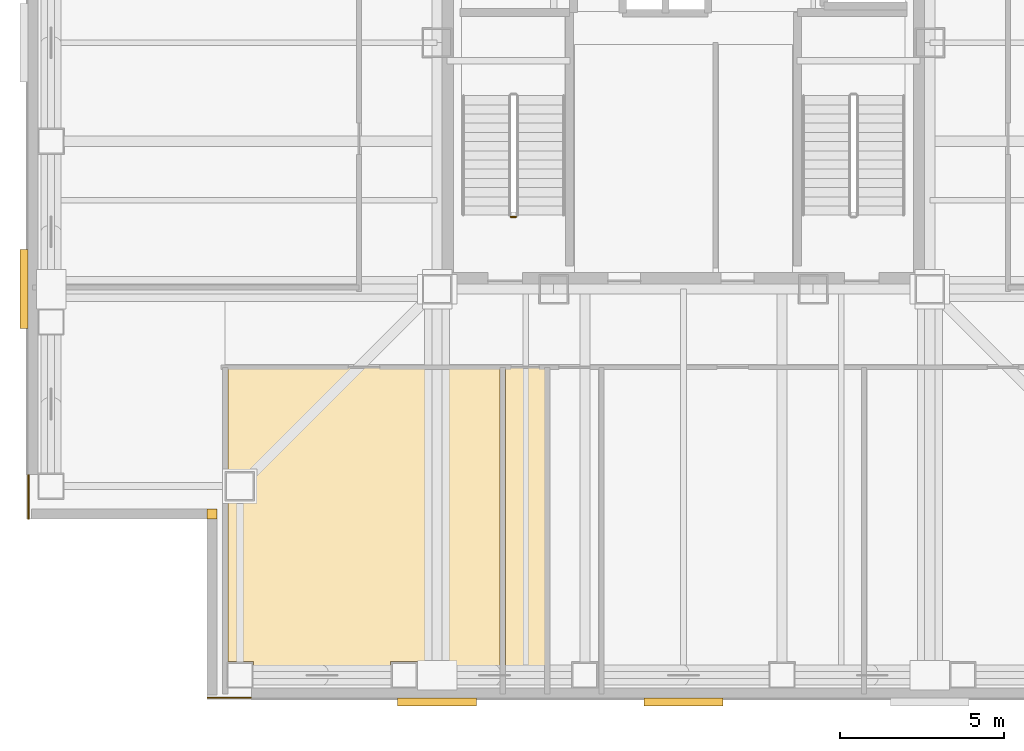
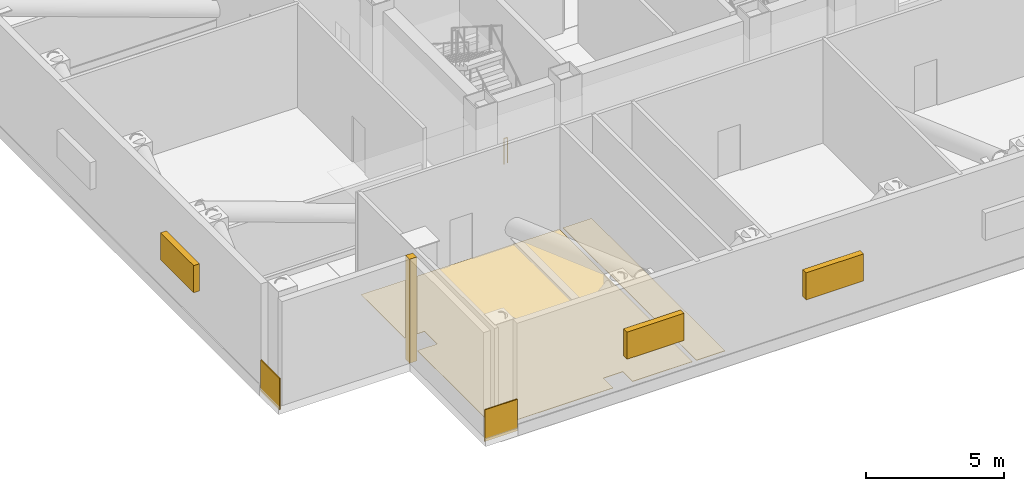
# One storey, part 6 of 10: 5 coverings, 3 shading devices, 1 railing.
"""IFC4 building model written with IfcOpenShell, lengths in metres."""

from ifc_helpers import new_model, si_unit, direction, frame, frame_2d, origin, origin_2d, place, context, subcontext, project, spatial, polyline, rectangle, circle, outline, extrude, material, layer, layer_set, type_object, element, save


model = new_model("IFC4")

# Units and contexts
model_context = context("Model", 3, precision=1e-05, world=origin(), true_north=direction((0.0, 1.0)))
body_context = subcontext(model_context, "Body", "Model", "MODEL_VIEW")
ifc_project = project(units=[si_unit("LENGTHUNIT", "METRE"), si_unit("AREAUNIT", "SQUARE_METRE"), si_unit("VOLUMEUNIT", "CUBIC_METRE"), si_unit("PLANEANGLEUNIT", "RADIAN"), si_unit("MASSUNIT", "GRAM", prefix="KILO")], contexts=[model_context])

# Site, building, storey
site_placement = place(None, origin())
site = spatial("IfcSite", under=ifc_project, at=site_placement, CompositionType="ELEMENT")
building_placement = place(site_placement, origin())
building = spatial("IfcBuilding", under=site, at=building_placement, Name="Trevonay Congress Spire", CompositionType="ELEMENT")
storey_placement = place(building_placement, frame((0.0, 0.0, 227.39990234375)))
storey = spatial("IfcBuildingStorey", under=building, at=storey_placement, Name="L59", CompositionType="ELEMENT", Elevation=227.39990234375)

# Coverings
ifc_material_1 = material(Name="Polished Granite Floor Tile", Category="masonry")
ifc_layer_1 = layer(ifc_material_1, 0.02001953125, Name="Polished Granite Floor Tile")
ifc_layer_set_1 = layer_set([ifc_layer_1], Name="Polished Granite Floor Tile")
covering_type_1 = type_object("IfcCoveringType", Name="COV-FLOOR-STONE", PredefinedType="FLOORING", material=ifc_layer_set_1)
covering_1_placement = place(storey_placement, origin())
element("IfcCovering", 1, at=covering_1_placement, inside=storey, type_object=covering_type_1, Name="L59 Chiller and Heat-Pump Plant floor finish", PredefinedType="FLOORING", context=body_context, shape_type="SweptSolid", body=[
    extrude(outline(polyline([(-13.090087890625, -19.550048828125), (-13.090087890625, -18.840087890625), (-13.8701171875, -18.840087890625), (-13.8701171875, -13.9599609375), (-13.0400390625, -13.9599609375), (-13.0400390625, -13.0400390625), (-13.8701171875, -13.0400390625), (-13.8701171875, -9.8798828125), (-5.580078125, -9.8798828125), (-5.580078125, -19.550048828125), (-8.090087890625, -19.550048828125), (-8.090087890625, -18.840087890625), (-8.909912109375, -18.840087890625), (-8.909912109375, -19.550048828125), (-13.090087890625, -19.550048828125)])), origin(), (0.0, 0.0, 1.0), 0.02001953125),
])
covering_2_placement = place(storey_placement, origin())
element("IfcCovering", 2, at=covering_2_placement, inside=storey, type_object=covering_type_1, Name="L59 Accessible Refuge WC floor finish", PredefinedType="FLOORING", context=body_context, shape_type="SweptSolid", body=[
    extrude(outline(polyline([(-5.419921875, -19.550048828125), (-4.219970703125, -19.550048828125), (-4.219970703125, -9.8798828125), (-5.419921875, -9.8798828125), (-5.419921875, -19.550048828125)])), origin(), (0.0, 0.0, 1.0), 0.02001953125),
])
ifc_material_2 = material(Name="Pale Anodised Aluminium EN AW-6063-T6", Category="aluminium")
ifc_layer_2 = layer(ifc_material_2, 0.0400390625, Name="Pale Anodised Aluminium EN AW-6063-T6")
ifc_layer_set_2 = layer_set([ifc_layer_2], Name="Pale Anodised Aluminium EN AW-6063-T6")
covering_type_2 = type_object("IfcCoveringType", Name="COV-SPANDREL-PALE-METAL", PredefinedType="CLADDING", material=ifc_layer_set_2)
covering_3_placement = place(storey_placement, origin())
element("IfcCovering", 3, at=covering_3_placement, inside=storey, type_object=covering_type_2, Name="L59 SW re-entrant notch corner closure trim", PredefinedType="CLADDING", context=body_context, shape_type="SweptSolid", body=[
    extrude(outline(polyline([(-14.5, -14.5), (-14.199951171875, -14.5), (-14.199951171875, -14.199951171875), (-14.5, -14.199951171875), (-14.5, -14.5)])), origin(), (0.0, 0.0, 1.0), 4.60009765625),
])
for number, where, z_axis, x_axis, name in (
    (4, (-19.93994140625, -13.14990234375, -0.14990234375), (0.0, 0.0, 1.0), (0.0, -1.0, 0.0), "L59 SW corner pier spandrel cladding 1"),
    (5, (-13.14990234375, -19.93994140625, -0.14990234375), (0.0, 0.0, 1.0), (-1.0, 0.0, 0.0), "L59 SW corner pier spandrel cladding 2"),
):
    element("IfcCovering", number, at=place(storey_placement, frame(where, z_axis=z_axis, x_axis=x_axis)), inside=storey, type_object=covering_type_2, Name=name, PredefinedType="CLADDING", context=body_context, shape_type="SweptSolid", body=[
        extrude(rectangle(XDim=1.35009765625, YDim=0.0400390625, at=frame_2d((0.675048828125, 0.0))), origin(), (0.0, 0.0, 1.0), 1.39990234375),
    ])

# Railing
railing_type = type_object("IfcRailingType", Name="RAL-STAIR-GUARD-110", PredefinedType="GUARDRAIL", material=ifc_material_2)
railing_placement = place(storey_placement, frame((-5.10009765625, -5.300048828125, 0.0)))
element("IfcRailing", 6, at=railing_placement, inside=storey, type_object=railing_type, Name="L59 ST-1 stair guard 4", PredefinedType="GUARDRAIL", context=body_context, shape_type="SweptSolid", body=[
    extrude(circle(Radius=0.02392578125, at=origin_2d()), frame((0.0, 0.0, 1.1259765625), z_axis=(-1.0, 0.0, 0.0), x_axis=(0.0, -1.0, 0.0)), (0.0, 0.0, 1.0), 0.14990234375),
    extrude(circle(Radius=0.02099609375, at=origin_2d()), origin(), (0.0, 0.0, 1.0), 1.101806640625),
    extrude(circle(Radius=0.02099609375, at=origin_2d()), frame((-0.14990234375, 0.0, 0.0)), (0.0, 0.0, 1.0), 1.101806640625),
])

# Shading devices
shading_device_type = type_object("IfcShadingDeviceType", Name="SHD-LOUVRE-PLANT-ALUM", PredefinedType="USERDEFINED", material=ifc_material_2)
for number, where, z_axis, x_axis, name in (
    (7, (-7.5, -20.070068359375, 1.60009765625), (0.0, 0.0, 1.0), (1.0, 0.0, 0.0), "L59 S acoustic plant intake louvre 1"),
    (8, (0.0, -20.070068359375, 1.60009765625), (0.0, 0.0, 1.0), (1.0, 0.0, 0.0), "L59 S acoustic plant intake louvre 2"),
    (9, (-20.070068359375, -7.5, 1.60009765625), (0.0, 0.0, 1.0), (0.0, 1.0, 0.0), "L59 W acoustic plant intake louvre 1"),
):
    element("IfcShadingDevice", number, at=place(storey_placement, frame(where, z_axis=z_axis, x_axis=x_axis)), inside=storey, type_object=shading_device_type, Name=name, ObjectType="LOUVRE", PredefinedType="USERDEFINED", context=body_context, shape_type="SweptSolid", body=[
        extrude(rectangle(XDim=2.39990234375, YDim=0.25, at=origin_2d()), origin(), (0.0, 0.0, 1.0), 1.199951171875),
    ])

save(model, "model.ifc")
